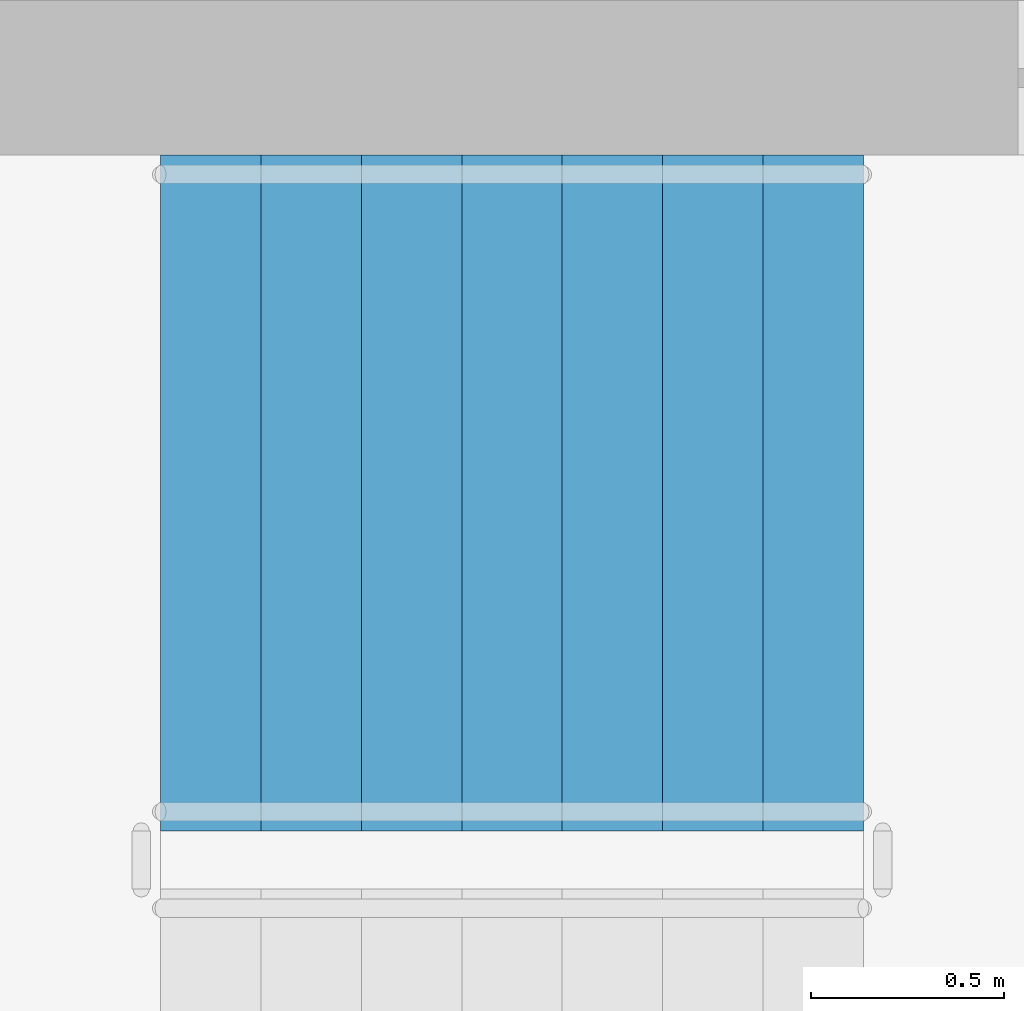
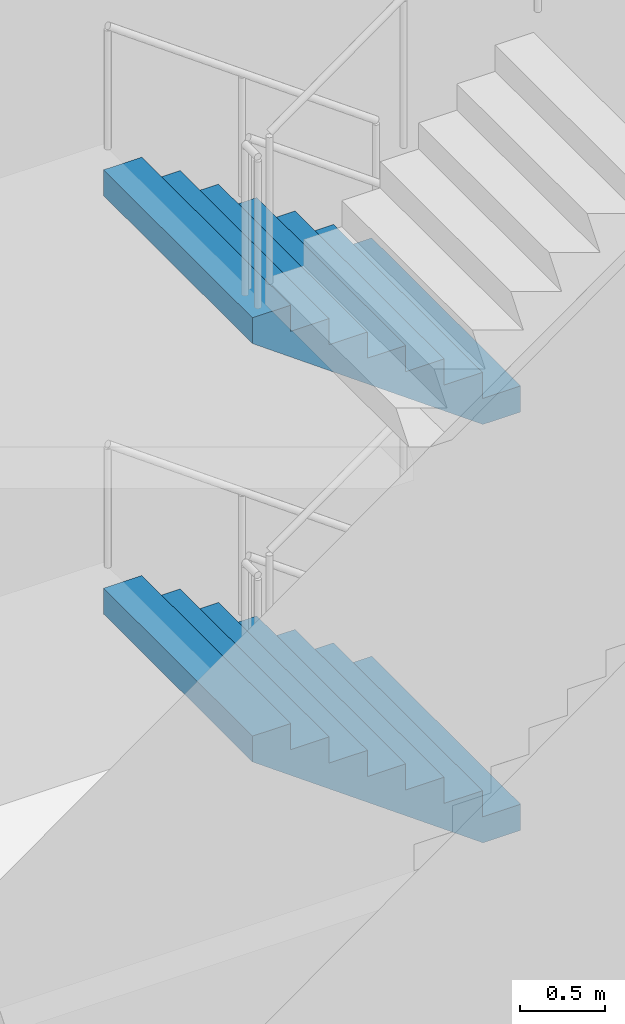
# One storey, part 45 of 75: 2 stair flights, 1 element without a shape of its own.
"""IFC4 building model written with IfcOpenShell, lengths in metres."""

from ifc_helpers import new_model, si_unit, direction, frame, origin, place, context, subcontext, project, spatial, faceted_brep, material, type_object, element, aggregate, save


model = new_model("IFC4")

# Units and contexts
model_context = context("Model", 3, precision=1e-05, world=origin(), true_north=direction((0.0, 1.0)))
body_context = subcontext(model_context, "Body", "Model", "MODEL_VIEW")
ifc_project = project(units=[si_unit("LENGTHUNIT", "METRE"), si_unit("AREAUNIT", "SQUARE_METRE"), si_unit("VOLUMEUNIT", "CUBIC_METRE"), si_unit("PLANEANGLEUNIT", "RADIAN"), si_unit("MASSUNIT", "GRAM", prefix="KILO")], contexts=[model_context])

# Site, building, storey
site_placement = place(None, origin())
site = spatial("IfcSite", under=ifc_project, at=site_placement, CompositionType="ELEMENT")
building_placement = place(site_placement, origin())
building = spatial("IfcBuilding", under=site, at=building_placement, Name="Ipe Terrace Towers", CompositionType="ELEMENT")
storey_placement = place(building_placement, origin())
storey = spatial("IfcBuildingStorey", under=building, at=storey_placement, Name="L00", CompositionType="ELEMENT", Elevation=0.0)

# Stair, stair flights
ifc_material_1 = material(Name="Concrete C30/37", Category="concrete")
stair_type = type_object("IfcStairType", Name="Protected exit stair", PredefinedType="HALF_TURN_STAIR", material=ifc_material_1)
stair_placement = place(storey_placement, origin())
stair = element("IfcStair", 1, at=stair_placement, inside=storey, type_object=stair_type, Name="L00 Exit stair T1-C2", PredefinedType="HALF_TURN_STAIR")
ifc_material_2 = material(Name="Concrete C30/37", Category="concrete")
stair_flight_type = type_object("IfcStairFlightType", Name="Exit stair flight 1750", PredefinedType="STRAIGHT", material=ifc_material_2)
stair_flight_1_placement = place(storey_placement, frame((-45.699951171875, -2.77490234375, 0.0), z_axis=(0.0, 0.0, 1.0), x_axis=(-1.0, 0.0, 0.0)))
stair_flight_1 = element("IfcStairFlight", 2, at=stair_flight_1_placement, type_object=stair_flight_type, Name="T1-ST2 flight 1", NumberOfRisers=8, NumberOfTreads=7, PredefinedType="STRAIGHT", RiserHeight=0.1875, TreadLength=0.26, context=body_context, shape_type="Brep", body=[
    faceted_brep([(0.25634765625, -0.875, 0.0), (1.820068359375, -0.875, 1.127685546875), (1.820068359375, -0.875, 1.3125), (1.56005859375, -0.875, 1.3125), (1.56005859375, -0.875, 1.125), (1.300048828125, -0.875, 1.125), (1.300048828125, -0.875, 0.9375), (1.0400390625, -0.875, 0.9375), (1.0400390625, -0.875, 0.75), (0.780029296875, -0.875, 0.75), (0.780029296875, -0.875, 0.5625), (0.52001953125, -0.875, 0.5625), (0.52001953125, -0.875, 0.375), (0.260009765625, -0.875, 0.375), (0.260009765625, -0.875, 0.1875), (0.0, -0.875, 0.1875), (0.0, -0.875, 0.0), (0.0, 0.875, 0.0), (0.0, 0.875, 0.1875), (0.260009765625, 0.875, 0.1875), (0.260009765625, 0.875, 0.375), (0.52001953125, 0.875, 0.375), (0.52001953125, 0.875, 0.5625), (0.780029296875, 0.875, 0.5625), (0.780029296875, 0.875, 0.75), (1.0400390625, 0.875, 0.75), (1.0400390625, 0.875, 0.9375), (1.300048828125, 0.875, 0.9375), (1.300048828125, 0.875, 1.125), (1.56005859375, 0.875, 1.125), (1.56005859375, 0.875, 1.3125), (1.820068359375, 0.875, 1.3125), (1.820068359375, 0.875, 1.127685546875), (0.25634765625, 0.875, 0.0), (0.0, -0.300048828125, 0.1875), (0.0, -0.1201171875, 0.1875), (0.0, -0.06005859375, 0.1875), (0.0, -0.030029296875, 0.1875), (0.0, -0.010009765625, 0.1875), (0.0, 0.0, 0.1875), (0.0, 0.010009765625, 0.1875), (0.0, 0.030029296875, 0.1875), (0.0, 0.06005859375, 0.1875), (0.0, 0.1201171875, 0.1875), (0.0, 0.300048828125, 0.1875), (0.0, 0.300048828125, 0.0), (0.0, 0.1201171875, 0.0), (0.0, 0.06005859375, 0.0), (0.0, 0.030029296875, 0.0), (0.0, 0.010009765625, 0.0), (0.0, 0.0, 0.0), (0.0, -0.010009765625, 0.0), (0.0, -0.030029296875, 0.0), (0.0, -0.06005859375, 0.0), (0.0, -0.1201171875, 0.0), (0.0, -0.300048828125, 0.0), (0.260009765625, -0.300048828125, 0.1875), (0.260009765625, -0.1201171875, 0.1875), (0.260009765625, -0.06005859375, 0.1875), (0.260009765625, -0.030029296875, 0.1875), (0.260009765625, -0.010009765625, 0.1875), (0.260009765625, 0.0, 0.1875), (0.260009765625, 0.010009765625, 0.1875), (0.260009765625, 0.030029296875, 0.1875), (0.260009765625, 0.06005859375, 0.1875), (0.260009765625, 0.1201171875, 0.1875), (0.260009765625, 0.300048828125, 0.1875), (0.260009765625, -0.300048828125, 0.375), (0.260009765625, -0.1201171875, 0.375), (0.260009765625, -0.06005859375, 0.375), (0.260009765625, -0.030029296875, 0.375), (0.260009765625, -0.010009765625, 0.375), (0.260009765625, 0.0, 0.375), (0.260009765625, 0.010009765625, 0.375), (0.260009765625, 0.030029296875, 0.375), (0.260009765625, 0.06005859375, 0.375), (0.260009765625, 0.1201171875, 0.375), (0.260009765625, 0.300048828125, 0.375), (0.52001953125, -0.300048828125, 0.375), (0.52001953125, -0.1201171875, 0.375), (0.52001953125, -0.06005859375, 0.375), (0.52001953125, -0.030029296875, 0.375), (0.52001953125, -0.010009765625, 0.375), (0.52001953125, 0.0, 0.375), (0.52001953125, 0.010009765625, 0.375), (0.52001953125, 0.030029296875, 0.375), (0.52001953125, 0.06005859375, 0.375), (0.52001953125, 0.1201171875, 0.375), (0.52001953125, 0.300048828125, 0.375), (0.52001953125, -0.300048828125, 0.5625), (0.52001953125, -0.1201171875, 0.5625), (0.52001953125, -0.06005859375, 0.5625), (0.52001953125, -0.030029296875, 0.5625), (0.52001953125, -0.010009765625, 0.5625), (0.52001953125, 0.0, 0.5625), (0.52001953125, 0.010009765625, 0.5625), (0.52001953125, 0.030029296875, 0.5625), (0.52001953125, 0.06005859375, 0.5625), (0.52001953125, 0.1201171875, 0.5625), (0.52001953125, 0.300048828125, 0.5625), (0.780029296875, -0.300048828125, 0.5625), (0.780029296875, -0.1201171875, 0.5625), (0.780029296875, -0.06005859375, 0.5625), (0.780029296875, -0.030029296875, 0.5625), (0.780029296875, -0.010009765625, 0.5625), (0.780029296875, 0.0, 0.5625), (0.780029296875, 0.010009765625, 0.5625), (0.780029296875, 0.030029296875, 0.5625), (0.780029296875, 0.06005859375, 0.5625), (0.780029296875, 0.1201171875, 0.5625), (0.780029296875, 0.300048828125, 0.5625), (0.780029296875, -0.300048828125, 0.75), (0.780029296875, -0.1201171875, 0.75), (0.780029296875, -0.06005859375, 0.75), (0.780029296875, -0.030029296875, 0.75), (0.780029296875, -0.010009765625, 0.75), (0.780029296875, 0.0, 0.75), (0.780029296875, 0.010009765625, 0.75), (0.780029296875, 0.030029296875, 0.75), (0.780029296875, 0.06005859375, 0.75), (0.780029296875, 0.1201171875, 0.75), (0.780029296875, 0.300048828125, 0.75), (1.0400390625, -0.300048828125, 0.75), (1.0400390625, -0.1201171875, 0.75), (1.0400390625, -0.06005859375, 0.75), (1.0400390625, -0.030029296875, 0.75), (1.0400390625, -0.010009765625, 0.75), (1.0400390625, 0.0, 0.75), (1.0400390625, 0.010009765625, 0.75), (1.0400390625, 0.030029296875, 0.75), (1.0400390625, 0.06005859375, 0.75), (1.0400390625, 0.1201171875, 0.75), (1.0400390625, 0.300048828125, 0.75), (1.0400390625, -0.300048828125, 0.9375), (1.0400390625, -0.1201171875, 0.9375), (1.0400390625, -0.06005859375, 0.9375), (1.0400390625, -0.030029296875, 0.9375), (1.0400390625, -0.010009765625, 0.9375), (1.0400390625, 0.0, 0.9375), (1.0400390625, 0.010009765625, 0.9375), (1.0400390625, 0.030029296875, 0.9375), (1.0400390625, 0.06005859375, 0.9375), (1.0400390625, 0.1201171875, 0.9375), (1.0400390625, 0.300048828125, 0.9375), (1.300048828125, -0.300048828125, 0.9375), (1.300048828125, -0.1201171875, 0.9375), (1.300048828125, -0.06005859375, 0.9375), (1.300048828125, -0.030029296875, 0.9375), (1.300048828125, -0.010009765625, 0.9375), (1.300048828125, 0.0, 0.9375), (1.300048828125, 0.010009765625, 0.9375), (1.300048828125, 0.030029296875, 0.9375), (1.300048828125, 0.06005859375, 0.9375), (1.300048828125, 0.1201171875, 0.9375), (1.300048828125, 0.300048828125, 0.9375), (1.300048828125, -0.300048828125, 1.125), (1.300048828125, -0.1201171875, 1.125), (1.300048828125, -0.06005859375, 1.125), (1.300048828125, -0.030029296875, 1.125), (1.300048828125, -0.010009765625, 1.125), (1.300048828125, 0.0, 1.125), (1.300048828125, 0.010009765625, 1.125), (1.300048828125, 0.030029296875, 1.125), (1.300048828125, 0.06005859375, 1.125), (1.300048828125, 0.1201171875, 1.125), (1.300048828125, 0.300048828125, 1.125), (1.56005859375, -0.300048828125, 1.125), (1.56005859375, -0.1201171875, 1.125), (1.56005859375, -0.06005859375, 1.125), (1.56005859375, -0.030029296875, 1.125), (1.56005859375, -0.010009765625, 1.125), (1.56005859375, 0.0, 1.125), (1.56005859375, 0.010009765625, 1.125), (1.56005859375, 0.030029296875, 1.125), (1.56005859375, 0.06005859375, 1.125), (1.56005859375, 0.1201171875, 1.125), (1.56005859375, 0.300048828125, 1.125), (1.56005859375, -0.300048828125, 1.3125), (1.56005859375, -0.1201171875, 1.3125), (1.56005859375, -0.06005859375, 1.3125), (1.56005859375, -0.030029296875, 1.3125), (1.56005859375, -0.010009765625, 1.3125), (1.56005859375, 0.0, 1.3125), (1.56005859375, 0.010009765625, 1.3125), (1.56005859375, 0.030029296875, 1.3125), (1.56005859375, 0.06005859375, 1.3125), (1.56005859375, 0.1201171875, 1.3125), (1.56005859375, 0.300048828125, 1.3125), (1.820068359375, -0.300048828125, 1.3125), (1.820068359375, -0.1201171875, 1.3125), (1.820068359375, -0.06005859375, 1.3125), (1.820068359375, -0.030029296875, 1.3125), (1.820068359375, -0.010009765625, 1.3125), (1.820068359375, 0.0, 1.3125), (1.820068359375, 0.010009765625, 1.3125), (1.820068359375, 0.030029296875, 1.3125), (1.820068359375, 0.06005859375, 1.3125), (1.820068359375, 0.1201171875, 1.3125), (1.820068359375, 0.300048828125, 1.3125), (1.820068359375, -0.300048828125, 1.127685546875), (1.820068359375, -0.1201171875, 1.127685546875), (1.820068359375, -0.06005859375, 1.127685546875), (1.820068359375, -0.030029296875, 1.127685546875), (1.820068359375, -0.010009765625, 1.127685546875), (1.820068359375, 0.0, 1.127685546875), (1.820068359375, 0.010009765625, 1.127685546875), (1.820068359375, 0.030029296875, 1.127685546875), (1.820068359375, 0.06005859375, 1.127685546875), (1.820068359375, 0.1201171875, 1.127685546875), (1.820068359375, 0.300048828125, 1.127685546875), (0.25634765625, -0.300048828125, 0.0), (0.25634765625, -0.1201171875, 0.0), (0.25634765625, -0.06005859375, 0.0), (0.25634765625, -0.030029296875, 0.0), (0.25634765625, -0.010009765625, 0.0), (0.25634765625, 0.0, 0.0), (0.25634765625, 0.010009765625, 0.0), (0.25634765625, 0.030029296875, 0.0), (0.25634765625, 0.06005859375, 0.0), (0.25634765625, 0.1201171875, 0.0), (0.25634765625, 0.300048828125, 0.0)], [[[0, 1, 2, 3, 4, 5, 6, 7, 8, 9, 10, 11, 12, 13, 14, 15, 16]], [[17, 18, 19, 20, 21, 22, 23, 24, 25, 26, 27, 28, 29, 30, 31, 32, 33]], [[15, 34, 35, 36, 37, 38, 39, 40, 41, 42, 43, 44, 18, 17, 45, 46, 47, 48, 49, 50, 51, 52, 53, 54, 55, 16]], [[14, 56, 57, 58, 59, 60, 61, 62, 63, 64, 65, 66, 19, 18, 44, 43, 42, 41, 40, 39, 38, 37, 36, 35, 34, 15]], [[13, 67, 68, 69, 70, 71, 72, 73, 74, 75, 76, 77, 20, 19, 66, 65, 64, 63, 62, 61, 60, 59, 58, 57, 56, 14]], [[12, 78, 79, 80, 81, 82, 83, 84, 85, 86, 87, 88, 21, 20, 77, 76, 75, 74, 73, 72, 71, 70, 69, 68, 67, 13]], [[11, 89, 90, 91, 92, 93, 94, 95, 96, 97, 98, 99, 22, 21, 88, 87, 86, 85, 84, 83, 82, 81, 80, 79, 78, 12]], [[10, 100, 101, 102, 103, 104, 105, 106, 107, 108, 109, 110, 23, 22, 99, 98, 97, 96, 95, 94, 93, 92, 91, 90, 89, 11]], [[9, 111, 112, 113, 114, 115, 116, 117, 118, 119, 120, 121, 24, 23, 110, 109, 108, 107, 106, 105, 104, 103, 102, 101, 100, 10]], [[8, 122, 123, 124, 125, 126, 127, 128, 129, 130, 131, 132, 25, 24, 121, 120, 119, 118, 117, 116, 115, 114, 113, 112, 111, 9]], [[7, 133, 134, 135, 136, 137, 138, 139, 140, 141, 142, 143, 26, 25, 132, 131, 130, 129, 128, 127, 126, 125, 124, 123, 122, 8]], [[6, 144, 145, 146, 147, 148, 149, 150, 151, 152, 153, 154, 27, 26, 143, 142, 141, 140, 139, 138, 137, 136, 135, 134, 133, 7]], [[5, 155, 156, 157, 158, 159, 160, 161, 162, 163, 164, 165, 28, 27, 154, 153, 152, 151, 150, 149, 148, 147, 146, 145, 144, 6]], [[4, 166, 167, 168, 169, 170, 171, 172, 173, 174, 175, 176, 29, 28, 165, 164, 163, 162, 161, 160, 159, 158, 157, 156, 155, 5]], [[3, 177, 178, 179, 180, 181, 182, 183, 184, 185, 186, 187, 30, 29, 176, 175, 174, 173, 172, 171, 170, 169, 168, 167, 166, 4]], [[2, 188, 189, 190, 191, 192, 193, 194, 195, 196, 197, 198, 31, 30, 187, 186, 185, 184, 183, 182, 181, 180, 179, 178, 177, 3]], [[1, 199, 200, 201, 202, 203, 204, 205, 206, 207, 208, 209, 32, 31, 198, 197, 196, 195, 194, 193, 192, 191, 190, 189, 188, 2]], [[0, 210, 211, 212, 213, 214, 215, 216, 217, 218, 219, 220, 33, 32, 209, 208, 207, 206, 205, 204, 203, 202, 201, 200, 199, 1]], [[16, 55, 54, 53, 52, 51, 50, 49, 48, 47, 46, 45, 17, 33, 220, 219, 218, 217, 216, 215, 214, 213, 212, 211, 210, 0]]]),
])
stair_flight_2_placement = place(storey_placement, frame((-45.699951171875, -2.77490234375, 3.0), z_axis=(0.0, 0.0, 1.0), x_axis=(-1.0, 0.0, 0.0)))
stair_flight_2 = element("IfcStairFlight", 3, at=stair_flight_2_placement, type_object=stair_flight_type, Name="T1-ST2 flight 3", NumberOfRisers=8, NumberOfTreads=7, PredefinedType="STRAIGHT", RiserHeight=0.1875, TreadLength=0.26, context=body_context, shape_type="Brep", body=[
    faceted_brep([(0.25634765625, -0.875, 0.0), (1.820068359375, -0.875, 1.127685546875), (1.820068359375, -0.875, 1.3125), (1.56005859375, -0.875, 1.3125), (1.56005859375, -0.875, 1.125), (1.300048828125, -0.875, 1.125), (1.300048828125, -0.875, 0.9375), (1.0400390625, -0.875, 0.9375), (1.0400390625, -0.875, 0.75), (0.780029296875, -0.875, 0.75), (0.780029296875, -0.875, 0.5625), (0.52001953125, -0.875, 0.5625), (0.52001953125, -0.875, 0.375), (0.260009765625, -0.875, 0.375), (0.260009765625, -0.875, 0.1875), (0.0, -0.875, 0.1875), (0.0, -0.875, 0.0), (0.0, 0.875, 0.0), (0.0, 0.875, 0.1875), (0.260009765625, 0.875, 0.1875), (0.260009765625, 0.875, 0.375), (0.52001953125, 0.875, 0.375), (0.52001953125, 0.875, 0.5625), (0.780029296875, 0.875, 0.5625), (0.780029296875, 0.875, 0.75), (1.0400390625, 0.875, 0.75), (1.0400390625, 0.875, 0.9375), (1.300048828125, 0.875, 0.9375), (1.300048828125, 0.875, 1.125), (1.56005859375, 0.875, 1.125), (1.56005859375, 0.875, 1.3125), (1.820068359375, 0.875, 1.3125), (1.820068359375, 0.875, 1.127685546875), (0.25634765625, 0.875, 0.0), (0.0, -0.300048828125, 0.1875), (0.0, -0.1201171875, 0.1875), (0.0, -0.06005859375, 0.1875), (0.0, -0.030029296875, 0.1875), (0.0, -0.010009765625, 0.1875), (0.0, 0.0, 0.1875), (0.0, 0.010009765625, 0.1875), (0.0, 0.030029296875, 0.1875), (0.0, 0.06005859375, 0.1875), (0.0, 0.1201171875, 0.1875), (0.0, 0.300048828125, 0.1875), (0.0, 0.300048828125, 0.0), (0.0, 0.1201171875, 0.0), (0.0, 0.06005859375, 0.0), (0.0, 0.030029296875, 0.0), (0.0, 0.010009765625, 0.0), (0.0, 0.0, 0.0), (0.0, -0.010009765625, 0.0), (0.0, -0.030029296875, 0.0), (0.0, -0.06005859375, 0.0), (0.0, -0.1201171875, 0.0), (0.0, -0.300048828125, 0.0), (0.260009765625, -0.300048828125, 0.1875), (0.260009765625, -0.1201171875, 0.1875), (0.260009765625, -0.06005859375, 0.1875), (0.260009765625, -0.030029296875, 0.1875), (0.260009765625, -0.010009765625, 0.1875), (0.260009765625, 0.0, 0.1875), (0.260009765625, 0.010009765625, 0.1875), (0.260009765625, 0.030029296875, 0.1875), (0.260009765625, 0.06005859375, 0.1875), (0.260009765625, 0.1201171875, 0.1875), (0.260009765625, 0.300048828125, 0.1875), (0.260009765625, -0.300048828125, 0.375), (0.260009765625, -0.1201171875, 0.375), (0.260009765625, -0.06005859375, 0.375), (0.260009765625, -0.030029296875, 0.375), (0.260009765625, -0.010009765625, 0.375), (0.260009765625, 0.0, 0.375), (0.260009765625, 0.010009765625, 0.375), (0.260009765625, 0.030029296875, 0.375), (0.260009765625, 0.06005859375, 0.375), (0.260009765625, 0.1201171875, 0.375), (0.260009765625, 0.300048828125, 0.375), (0.52001953125, -0.300048828125, 0.375), (0.52001953125, -0.1201171875, 0.375), (0.52001953125, -0.06005859375, 0.375), (0.52001953125, -0.030029296875, 0.375), (0.52001953125, -0.010009765625, 0.375), (0.52001953125, 0.0, 0.375), (0.52001953125, 0.010009765625, 0.375), (0.52001953125, 0.030029296875, 0.375), (0.52001953125, 0.06005859375, 0.375), (0.52001953125, 0.1201171875, 0.375), (0.52001953125, 0.300048828125, 0.375), (0.52001953125, -0.300048828125, 0.5625), (0.52001953125, -0.1201171875, 0.5625), (0.52001953125, -0.06005859375, 0.5625), (0.52001953125, -0.030029296875, 0.5625), (0.52001953125, -0.010009765625, 0.5625), (0.52001953125, 0.0, 0.5625), (0.52001953125, 0.010009765625, 0.5625), (0.52001953125, 0.030029296875, 0.5625), (0.52001953125, 0.06005859375, 0.5625), (0.52001953125, 0.1201171875, 0.5625), (0.52001953125, 0.300048828125, 0.5625), (0.780029296875, -0.300048828125, 0.5625), (0.780029296875, -0.1201171875, 0.5625), (0.780029296875, -0.06005859375, 0.5625), (0.780029296875, -0.030029296875, 0.5625), (0.780029296875, -0.010009765625, 0.5625), (0.780029296875, 0.0, 0.5625), (0.780029296875, 0.010009765625, 0.5625), (0.780029296875, 0.030029296875, 0.5625), (0.780029296875, 0.06005859375, 0.5625), (0.780029296875, 0.1201171875, 0.5625), (0.780029296875, 0.300048828125, 0.5625), (0.780029296875, -0.300048828125, 0.75), (0.780029296875, -0.1201171875, 0.75), (0.780029296875, -0.06005859375, 0.75), (0.780029296875, -0.030029296875, 0.75), (0.780029296875, -0.010009765625, 0.75), (0.780029296875, 0.0, 0.75), (0.780029296875, 0.010009765625, 0.75), (0.780029296875, 0.030029296875, 0.75), (0.780029296875, 0.06005859375, 0.75), (0.780029296875, 0.1201171875, 0.75), (0.780029296875, 0.300048828125, 0.75), (1.0400390625, -0.300048828125, 0.75), (1.0400390625, -0.1201171875, 0.75), (1.0400390625, -0.06005859375, 0.75), (1.0400390625, -0.030029296875, 0.75), (1.0400390625, -0.010009765625, 0.75), (1.0400390625, 0.0, 0.75), (1.0400390625, 0.010009765625, 0.75), (1.0400390625, 0.030029296875, 0.75), (1.0400390625, 0.06005859375, 0.75), (1.0400390625, 0.1201171875, 0.75), (1.0400390625, 0.300048828125, 0.75), (1.0400390625, -0.300048828125, 0.9375), (1.0400390625, -0.1201171875, 0.9375), (1.0400390625, -0.06005859375, 0.9375), (1.0400390625, -0.030029296875, 0.9375), (1.0400390625, -0.010009765625, 0.9375), (1.0400390625, 0.0, 0.9375), (1.0400390625, 0.010009765625, 0.9375), (1.0400390625, 0.030029296875, 0.9375), (1.0400390625, 0.06005859375, 0.9375), (1.0400390625, 0.1201171875, 0.9375), (1.0400390625, 0.300048828125, 0.9375), (1.300048828125, -0.300048828125, 0.9375), (1.300048828125, -0.1201171875, 0.9375), (1.300048828125, -0.06005859375, 0.9375), (1.300048828125, -0.030029296875, 0.9375), (1.300048828125, -0.010009765625, 0.9375), (1.300048828125, 0.0, 0.9375), (1.300048828125, 0.010009765625, 0.9375), (1.300048828125, 0.030029296875, 0.9375), (1.300048828125, 0.06005859375, 0.9375), (1.300048828125, 0.1201171875, 0.9375), (1.300048828125, 0.300048828125, 0.9375), (1.300048828125, -0.300048828125, 1.125), (1.300048828125, -0.1201171875, 1.125), (1.300048828125, -0.06005859375, 1.125), (1.300048828125, -0.030029296875, 1.125), (1.300048828125, -0.010009765625, 1.125), (1.300048828125, 0.0, 1.125), (1.300048828125, 0.010009765625, 1.125), (1.300048828125, 0.030029296875, 1.125), (1.300048828125, 0.06005859375, 1.125), (1.300048828125, 0.1201171875, 1.125), (1.300048828125, 0.300048828125, 1.125), (1.56005859375, -0.300048828125, 1.125), (1.56005859375, -0.1201171875, 1.125), (1.56005859375, -0.06005859375, 1.125), (1.56005859375, -0.030029296875, 1.125), (1.56005859375, -0.010009765625, 1.125), (1.56005859375, 0.0, 1.125), (1.56005859375, 0.010009765625, 1.125), (1.56005859375, 0.030029296875, 1.125), (1.56005859375, 0.06005859375, 1.125), (1.56005859375, 0.1201171875, 1.125), (1.56005859375, 0.300048828125, 1.125), (1.56005859375, -0.300048828125, 1.3125), (1.56005859375, -0.1201171875, 1.3125), (1.56005859375, -0.06005859375, 1.3125), (1.56005859375, -0.030029296875, 1.3125), (1.56005859375, -0.010009765625, 1.3125), (1.56005859375, 0.0, 1.3125), (1.56005859375, 0.010009765625, 1.3125), (1.56005859375, 0.030029296875, 1.3125), (1.56005859375, 0.06005859375, 1.3125), (1.56005859375, 0.1201171875, 1.3125), (1.56005859375, 0.300048828125, 1.3125), (1.820068359375, -0.300048828125, 1.3125), (1.820068359375, -0.1201171875, 1.3125), (1.820068359375, -0.06005859375, 1.3125), (1.820068359375, -0.030029296875, 1.3125), (1.820068359375, -0.010009765625, 1.3125), (1.820068359375, 0.0, 1.3125), (1.820068359375, 0.010009765625, 1.3125), (1.820068359375, 0.030029296875, 1.3125), (1.820068359375, 0.06005859375, 1.3125), (1.820068359375, 0.1201171875, 1.3125), (1.820068359375, 0.300048828125, 1.3125), (1.820068359375, -0.300048828125, 1.127685546875), (1.820068359375, -0.1201171875, 1.127685546875), (1.820068359375, -0.06005859375, 1.127685546875), (1.820068359375, -0.030029296875, 1.127685546875), (1.820068359375, -0.010009765625, 1.127685546875), (1.820068359375, 0.0, 1.127685546875), (1.820068359375, 0.010009765625, 1.127685546875), (1.820068359375, 0.030029296875, 1.127685546875), (1.820068359375, 0.06005859375, 1.127685546875), (1.820068359375, 0.1201171875, 1.127685546875), (1.820068359375, 0.300048828125, 1.127685546875), (0.25634765625, -0.300048828125, 0.0), (0.25634765625, -0.1201171875, 0.0), (0.25634765625, -0.06005859375, 0.0), (0.25634765625, -0.030029296875, 0.0), (0.25634765625, -0.010009765625, 0.0), (0.25634765625, 0.0, 0.0), (0.25634765625, 0.010009765625, 0.0), (0.25634765625, 0.030029296875, 0.0), (0.25634765625, 0.06005859375, 0.0), (0.25634765625, 0.1201171875, 0.0), (0.25634765625, 0.300048828125, 0.0)], [[[0, 1, 2, 3, 4, 5, 6, 7, 8, 9, 10, 11, 12, 13, 14, 15, 16]], [[17, 18, 19, 20, 21, 22, 23, 24, 25, 26, 27, 28, 29, 30, 31, 32, 33]], [[15, 34, 35, 36, 37, 38, 39, 40, 41, 42, 43, 44, 18, 17, 45, 46, 47, 48, 49, 50, 51, 52, 53, 54, 55, 16]], [[14, 56, 57, 58, 59, 60, 61, 62, 63, 64, 65, 66, 19, 18, 44, 43, 42, 41, 40, 39, 38, 37, 36, 35, 34, 15]], [[13, 67, 68, 69, 70, 71, 72, 73, 74, 75, 76, 77, 20, 19, 66, 65, 64, 63, 62, 61, 60, 59, 58, 57, 56, 14]], [[12, 78, 79, 80, 81, 82, 83, 84, 85, 86, 87, 88, 21, 20, 77, 76, 75, 74, 73, 72, 71, 70, 69, 68, 67, 13]], [[11, 89, 90, 91, 92, 93, 94, 95, 96, 97, 98, 99, 22, 21, 88, 87, 86, 85, 84, 83, 82, 81, 80, 79, 78, 12]], [[10, 100, 101, 102, 103, 104, 105, 106, 107, 108, 109, 110, 23, 22, 99, 98, 97, 96, 95, 94, 93, 92, 91, 90, 89, 11]], [[9, 111, 112, 113, 114, 115, 116, 117, 118, 119, 120, 121, 24, 23, 110, 109, 108, 107, 106, 105, 104, 103, 102, 101, 100, 10]], [[8, 122, 123, 124, 125, 126, 127, 128, 129, 130, 131, 132, 25, 24, 121, 120, 119, 118, 117, 116, 115, 114, 113, 112, 111, 9]], [[7, 133, 134, 135, 136, 137, 138, 139, 140, 141, 142, 143, 26, 25, 132, 131, 130, 129, 128, 127, 126, 125, 124, 123, 122, 8]], [[6, 144, 145, 146, 147, 148, 149, 150, 151, 152, 153, 154, 27, 26, 143, 142, 141, 140, 139, 138, 137, 136, 135, 134, 133, 7]], [[5, 155, 156, 157, 158, 159, 160, 161, 162, 163, 164, 165, 28, 27, 154, 153, 152, 151, 150, 149, 148, 147, 146, 145, 144, 6]], [[4, 166, 167, 168, 169, 170, 171, 172, 173, 174, 175, 176, 29, 28, 165, 164, 163, 162, 161, 160, 159, 158, 157, 156, 155, 5]], [[3, 177, 178, 179, 180, 181, 182, 183, 184, 185, 186, 187, 30, 29, 176, 175, 174, 173, 172, 171, 170, 169, 168, 167, 166, 4]], [[2, 188, 189, 190, 191, 192, 193, 194, 195, 196, 197, 198, 31, 30, 187, 186, 185, 184, 183, 182, 181, 180, 179, 178, 177, 3]], [[1, 199, 200, 201, 202, 203, 204, 205, 206, 207, 208, 209, 32, 31, 198, 197, 196, 195, 194, 193, 192, 191, 190, 189, 188, 2]], [[0, 210, 211, 212, 213, 214, 215, 216, 217, 218, 219, 220, 33, 32, 209, 208, 207, 206, 205, 204, 203, 202, 201, 200, 199, 1]], [[16, 55, 54, 53, 52, 51, 50, 49, 48, 47, 46, 45, 17, 33, 220, 219, 218, 217, 216, 215, 214, 213, 212, 211, 210, 0]]]),
])
aggregate(stair, [stair_flight_1, stair_flight_2])

save(model, "model.ifc")
